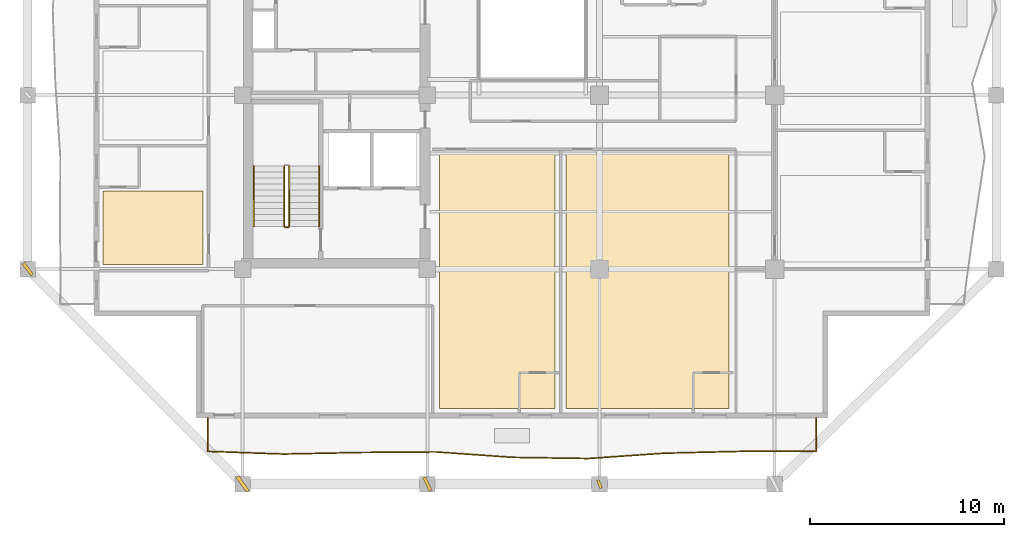
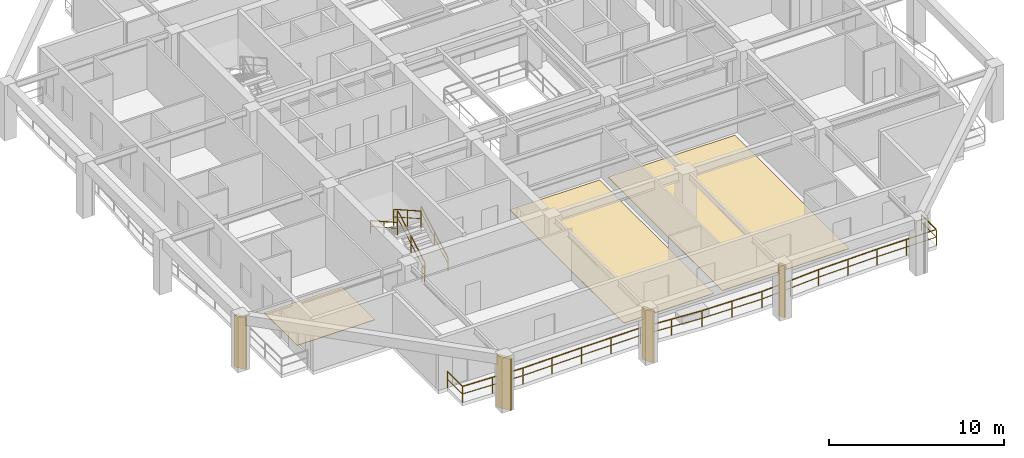
# One storey, part 8 of 13: 6 railings, 4 shading devices, 3 coverings.
"""IFC4 building model written with IfcOpenShell, lengths in metres."""

from ifc_helpers import new_model, si_unit, direction, frame, origin, origin_2d, place, context, subcontext, project, spatial, polyline, rectangle, outline, extrude, material, layer, layer_set, type_object, element, save


model = new_model("IFC4")

# Units and contexts
model_context = context("Model", 3, precision=1e-05, world=origin(), true_north=direction((0.0, 1.0)))
body_context = subcontext(model_context, "Body", "Model", "MODEL_VIEW")
ifc_project = project(units=[si_unit("LENGTHUNIT", "METRE"), si_unit("AREAUNIT", "SQUARE_METRE"), si_unit("VOLUMEUNIT", "CUBIC_METRE"), si_unit("PLANEANGLEUNIT", "RADIAN"), si_unit("MASSUNIT", "GRAM", prefix="KILO")], contexts=[model_context])

# Site, building, storey
site_placement = place(None, origin())
site = spatial("IfcSite", under=ifc_project, at=site_placement, CompositionType="ELEMENT")
building_placement = place(site_placement, origin())
building = spatial("IfcBuilding", under=site, at=building_placement, Name="Kundavana Baori Tower", CompositionType="ELEMENT")
storey_placement = place(building_placement, frame((0.0, 0.0, 169.449951171875)))
storey = spatial("IfcBuildingStorey", under=building, at=storey_placement, Name="L41", CompositionType="ELEMENT", Elevation=169.449951171875)

# Coverings
ifc_material_1 = material(Name="Honed Kota Stone and Terrazzo Flooring", Category="masonry")
ifc_layer = layer(ifc_material_1, 0.0400390625, Name="COV-FLR-TERR-40")
ifc_layer_set = layer_set([ifc_layer], Name="Honed Kota Stone and Terrazzo Flooring")
covering_type = type_object("IfcCoveringType", Name="COV-FLR-TERR-40", PredefinedType="FLOORING", material=ifc_layer_set)
covering_1_placement = place(storey_placement, origin())
element("IfcCovering", 1, at=covering_1_placement, inside=storey, type_object=covering_type, Name="L41 Room Finished Stone Flooring 1", PredefinedType="FLOORING", context=body_context, shape_type="SweptSolid", body=[
    extrude(outline(polyline([(8.280029296875, 15.5), (13.419921875, 15.5), (13.419921875, 19.27001953125), (8.280029296875, 19.27001953125), (8.280029296875, 15.5)])), origin(), (0.0, 0.0, 1.0), 0.0400390625),
])
covering_2_placement = place(storey_placement, origin())
element("IfcCovering", 2, at=covering_2_placement, inside=storey, type_object=covering_type, Name="L41 Room Finished Stone Flooring 5", PredefinedType="FLOORING", context=body_context, shape_type="SweptSolid", body=[
    extrude(outline(polyline([(25.580078125, 8.080078125), (31.52001953125, 8.080078125), (31.52001953125, 21.139892578125), (25.580078125, 21.139892578125), (25.580078125, 8.080078125)])), origin(), (0.0, 0.0, 1.0), 0.0400390625),
])
covering_3_placement = place(storey_placement, origin())
element("IfcCovering", 3, at=covering_3_placement, inside=storey, type_object=covering_type, Name="L41 Room Finished Stone Flooring 6", PredefinedType="FLOORING", context=body_context, shape_type="SweptSolid", body=[
    extrude(outline(polyline([(32.080078125, 8.080078125), (40.4599609375, 8.080078125), (40.4599609375, 21.139892578125), (32.080078125, 21.139892578125), (32.080078125, 8.080078125)])), origin(), (0.0, 0.0, 1.0), 0.0400390625),
])

# Railings
ifc_material_2 = material(Name="Architectural Patinated Bronze Metalwork")
railing_type_1 = type_object("IfcRailingType", Name="RL-BAL-1150", PredefinedType="BALUSTRADE", material=ifc_material_2)
railing_1_placement = place(storey_placement, frame((44.949951171875, 7.60009765625, 0.0)))
element("IfcRailing", 4, at=railing_1_placement, inside=storey, type_object=railing_type_1, Name="L41 Loggia Balcony Balustrade S", PredefinedType="BALUSTRADE", context=body_context, shape_type="SweptSolid", body=[
    extrude(rectangle(XDim=0.048095703125, YDim=0.048095703125, at=origin_2d()), frame((0.0, 0.0, 1.1259765625), z_axis=(0.0, -1.0, 0.0), x_axis=(1.0, 0.0, 0.0)), (0.0, 0.0, 1.0), 1.72021484375),
    extrude(rectangle(XDim=0.03125, YDim=0.03125, at=origin_2d()), frame((0.0, 0.0, 0.597900390625), z_axis=(0.0, -1.0, 0.0), x_axis=(1.0, 0.0, 0.0)), (0.0, 0.0, 1.0), 1.72021484375),
    extrude(rectangle(XDim=0.048095703125, YDim=0.048095703125, at=origin_2d()), frame((0.0, -1.72021484375, 1.1259765625), z_axis=(-0.999999719557, -0.000748923213, 0.0), x_axis=(0.000748923213, -0.999999719557, 0.0)), (0.0, 0.0, 1.0), 3.911865234375),
    extrude(rectangle(XDim=0.03125, YDim=0.03125, at=origin_2d()), frame((0.0, -1.72021484375, 0.597900390625), z_axis=(-0.999999719557, -0.000748923213, 0.0), x_axis=(0.000748923213, -0.999999719557, 0.0)), (0.0, 0.0, 1.0), 3.911865234375),
    extrude(rectangle(XDim=0.048095703125, YDim=0.048095703125, at=origin_2d()), frame((-3.911865234375, -1.72314453125, 1.1259765625), z_axis=(-0.999711633431, -0.024013537489, 0.0), x_axis=(0.024013537489, -0.999711633431, 0.0)), (0.0, 0.0, 1.0), 3.914306640625),
    extrude(rectangle(XDim=0.03125, YDim=0.03125, at=origin_2d()), frame((-3.911865234375, -1.72314453125, 0.597900390625), z_axis=(-0.999711633431, -0.024013537489, 0.0), x_axis=(0.024013537489, -0.999711633431, 0.0)), (0.0, 0.0, 1.0), 3.914306640625),
    extrude(rectangle(XDim=0.048095703125, YDim=0.048095703125, at=origin_2d()), frame((-7.824951171875, -1.817138671875, 1.1259765625), z_axis=(-0.997557579255, -0.069848951818, 0.0), x_axis=(0.069848951818, -0.997557579255, 0.0)), (0.0, 0.0, 1.0), 3.921630859375),
    extrude(rectangle(XDim=0.03125, YDim=0.03125, at=origin_2d()), frame((-7.824951171875, -1.817138671875, 0.597900390625), z_axis=(-0.997557579255, -0.069848951818, 0.0), x_axis=(0.069848951818, -0.997557579255, 0.0)), (0.0, 0.0, 1.0), 3.921630859375),
    extrude(rectangle(XDim=0.048095703125, YDim=0.048095703125, at=origin_2d()), frame((-11.737060546875, -2.091064453125, 1.1259765625), z_axis=(-0.999878362831, 0.015596779853, 0.0), x_axis=(-0.015596779853, -0.999878362831, 0.0)), (0.0, 0.0, 1.0), 3.913330078125),
    extrude(rectangle(XDim=0.03125, YDim=0.03125, at=origin_2d()), frame((-11.737060546875, -2.091064453125, 0.597900390625), z_axis=(-0.999878362831, 0.015596779853, 0.0), x_axis=(-0.015596779853, -0.999878362831, 0.0)), (0.0, 0.0, 1.0), 3.913330078125),
    extrude(rectangle(XDim=0.048095703125, YDim=0.048095703125, at=origin_2d()), frame((-15.64990234375, -2.030029296875, 1.1259765625), z_axis=(-0.997465646662, 0.071149727542, 0.0), x_axis=(-0.071149727542, -0.997465646662, 0.0)), (0.0, 0.0, 1.0), 3.922119140625),
    extrude(rectangle(XDim=0.03125, YDim=0.03125, at=origin_2d()), frame((-15.64990234375, -2.030029296875, 0.597900390625), z_axis=(-0.997465646662, 0.071149727542, 0.0), x_axis=(-0.071149727542, -0.997465646662, 0.0)), (0.0, 0.0, 1.0), 3.922119140625),
    extrude(rectangle(XDim=0.048095703125, YDim=0.048095703125, at=origin_2d()), frame((-19.56201171875, -1.7509765625, 1.1259765625), z_axis=(-0.999972436047, -0.007424765701, 0.0), x_axis=(0.007424765701, -0.999972436047, 0.0)), (0.0, 0.0, 1.0), 3.912841796875),
    extrude(rectangle(XDim=0.03125, YDim=0.03125, at=origin_2d()), frame((-19.56201171875, -1.7509765625, 0.597900390625), z_axis=(-0.999972436047, -0.007424765701, 0.0), x_axis=(0.007424765701, -0.999972436047, 0.0)), (0.0, 0.0, 1.0), 3.912841796875),
    extrude(rectangle(XDim=0.048095703125, YDim=0.048095703125, at=origin_2d()), frame((-23.474853515625, -1.780029296875, 1.1259765625), z_axis=(-0.999785539271, -0.02070930865, 0.0), x_axis=(0.02070930865, -0.999785539271, 0.0)), (0.0, 0.0, 1.0), 3.913818359375),
    extrude(rectangle(XDim=0.03125, YDim=0.03125, at=origin_2d()), frame((-23.474853515625, -1.780029296875, 0.597900390625), z_axis=(-0.999785539271, -0.02070930865, 0.0), x_axis=(0.02070930865, -0.999785539271, 0.0)), (0.0, 0.0, 1.0), 3.913818359375),
    extrude(rectangle(XDim=0.048095703125, YDim=0.048095703125, at=origin_2d()), frame((-27.387939453125, -1.861083984375, 1.1259765625), z_axis=(-0.999352324192, 0.035985165443, 0.0), x_axis=(-0.035985165443, -0.999352324192, 0.0)), (0.0, 0.0, 1.0), 3.91455078125),
    extrude(rectangle(XDim=0.03125, YDim=0.03125, at=origin_2d()), frame((-27.387939453125, -1.861083984375, 0.597900390625), z_axis=(-0.999352324192, 0.035985165443, 0.0), x_axis=(-0.035985165443, -0.999352324192, 0.0)), (0.0, 0.0, 1.0), 3.91455078125),
    extrude(rectangle(XDim=0.048095703125, YDim=0.048095703125, at=origin_2d()), frame((-31.300048828125, -1.72021484375, 1.1259765625), z_axis=(0.0, 1.0, 0.0), x_axis=(-1.0, 0.0, 0.0)), (0.0, 0.0, 1.0), 1.72021484375),
    extrude(rectangle(XDim=0.03125, YDim=0.03125, at=origin_2d()), frame((-31.300048828125, -1.72021484375, 0.597900390625), z_axis=(0.0, 1.0, 0.0), x_axis=(-1.0, 0.0, 0.0)), (0.0, 0.0, 1.0), 1.72021484375),
    extrude(rectangle(XDim=0.0419921875, YDim=0.0419921875, at=origin_2d()), origin(), (0.0, 0.0, 1.0), 1.101806640625),
    extrude(rectangle(XDim=0.0419921875, YDim=0.0419921875, at=origin_2d()), frame((0.0, -1.72021484375, 0.0)), (0.0, 0.0, 1.0), 1.101806640625),
    extrude(rectangle(XDim=0.0419921875, YDim=0.0419921875, at=origin_2d()), frame((-1.9560546875, -1.7216796875, 0.0)), (0.0, 0.0, 1.0), 1.101806640625),
    extrude(rectangle(XDim=0.0419921875, YDim=0.0419921875, at=origin_2d()), frame((-3.911865234375, -1.72314453125, 0.0)), (0.0, 0.0, 1.0), 1.101806640625),
    extrude(rectangle(XDim=0.0419921875, YDim=0.0419921875, at=origin_2d()), frame((-5.868408203125, -1.77001953125, 0.0)), (0.0, 0.0, 1.0), 1.101806640625),
    extrude(rectangle(XDim=0.0419921875, YDim=0.0419921875, at=origin_2d()), frame((-7.824951171875, -1.817138671875, 0.0)), (0.0, 0.0, 1.0), 1.101806640625),
    extrude(rectangle(XDim=0.0419921875, YDim=0.0419921875, at=origin_2d()), frame((-9.781005859375, -1.9541015625, 0.0)), (0.0, 0.0, 1.0), 1.101806640625),
    extrude(rectangle(XDim=0.0419921875, YDim=0.0419921875, at=origin_2d()), frame((-11.737060546875, -2.091064453125, 0.0)), (0.0, 0.0, 1.0), 1.101806640625),
    extrude(rectangle(XDim=0.0419921875, YDim=0.0419921875, at=origin_2d()), frame((-13.693359375, -2.060546875, 0.0)), (0.0, 0.0, 1.0), 1.101806640625),
    extrude(rectangle(XDim=0.0419921875, YDim=0.0419921875, at=origin_2d()), frame((-15.64990234375, -2.030029296875, 0.0)), (0.0, 0.0, 1.0), 1.101806640625),
    extrude(rectangle(XDim=0.0419921875, YDim=0.0419921875, at=origin_2d()), frame((-17.60595703125, -1.890625, 0.0)), (0.0, 0.0, 1.0), 1.101806640625),
    extrude(rectangle(XDim=0.0419921875, YDim=0.0419921875, at=origin_2d()), frame((-19.56201171875, -1.7509765625, 0.0)), (0.0, 0.0, 1.0), 1.101806640625),
    extrude(rectangle(XDim=0.0419921875, YDim=0.0419921875, at=origin_2d()), frame((-21.5185546875, -1.765625, 0.0)), (0.0, 0.0, 1.0), 1.101806640625),
    extrude(rectangle(XDim=0.0419921875, YDim=0.0419921875, at=origin_2d()), frame((-23.474853515625, -1.780029296875, 0.0)), (0.0, 0.0, 1.0), 1.101806640625),
    extrude(rectangle(XDim=0.0419921875, YDim=0.0419921875, at=origin_2d()), frame((-25.431396484375, -1.820556640625, 0.0)), (0.0, 0.0, 1.0), 1.101806640625),
    extrude(rectangle(XDim=0.0419921875, YDim=0.0419921875, at=origin_2d()), frame((-27.387939453125, -1.861083984375, 0.0)), (0.0, 0.0, 1.0), 1.101806640625),
    extrude(rectangle(XDim=0.0419921875, YDim=0.0419921875, at=origin_2d()), frame((-29.343994140625, -1.79052734375, 0.0)), (0.0, 0.0, 1.0), 1.101806640625),
    extrude(rectangle(XDim=0.0419921875, YDim=0.0419921875, at=origin_2d()), frame((-31.300048828125, -1.72021484375, 0.0)), (0.0, 0.0, 1.0), 1.101806640625),
    extrude(rectangle(XDim=0.0419921875, YDim=0.0419921875, at=origin_2d()), frame((-31.300048828125, 0.0, 0.0)), (0.0, 0.0, 1.0), 1.101806640625),
])
ifc_material_3 = material(Name="Architectural Patinated Bronze Metalwork")
railing_type_2 = type_object("IfcRailingType", Name="RL-GRD-1150", PredefinedType="GUARDRAIL", material=ifc_material_3)
railing_2_placement = place(storey_placement, frame((17.840087890625, 17.449951171875, 0.175048828125)))
element("IfcRailing", 5, at=railing_2_placement, inside=storey, type_object=railing_type_2, Name="L41 ST1 stair guard 1", PredefinedType="GUARDRAIL", context=body_context, shape_type="SweptSolid", body=[
    extrude(rectangle(XDim=0.048095703125, YDim=0.048095703125, at=origin_2d()), frame((0.0, 0.0, 1.1259765625), z_axis=(0.0, 0.870830938388, 0.491582624537), x_axis=(-1.0, 0.0, 0.0)), (0.0, 0.0, 1.0), 3.559814453125),
    extrude(rectangle(XDim=0.03125, YDim=0.03125, at=origin_2d()), frame((0.0, 0.0, 0.597900390625), z_axis=(0.0, 0.870830938388, 0.491582624537), x_axis=(-1.0, 0.0, 0.0)), (0.0, 0.0, 1.0), 3.559814453125),
    extrude(rectangle(XDim=0.0419921875, YDim=0.0419921875, at=origin_2d()), origin(), (0.0, 0.0, 1.0), 1.101806640625),
    extrude(rectangle(XDim=0.0419921875, YDim=0.0419921875, at=origin_2d()), frame((0.0, 1.550048828125, 0.875)), (0.0, 0.0, 1.0), 1.101806640625),
    extrude(rectangle(XDim=0.0419921875, YDim=0.0419921875, at=origin_2d()), frame((0.0, 3.10009765625, 1.75)), (0.0, 0.0, 1.0), 1.101806640625),
])
railing_3_placement = place(storey_placement, frame((17.580078125, 20.550048828125, 2.10009765625)))
element("IfcRailing", 6, at=railing_3_placement, inside=storey, type_object=railing_type_2, Name="L41 ST1 stair guard 3", PredefinedType="GUARDRAIL", context=body_context, shape_type="SweptSolid", body=[
    extrude(rectangle(XDim=0.048095703125, YDim=0.048095703125, at=origin_2d()), frame((0.0, 0.0, 1.1259765625), z_axis=(0.0, -0.870830938388, 0.491582624537), x_axis=(1.0, 0.0, 0.0)), (0.0, 0.0, 1.0), 3.559814453125),
    extrude(rectangle(XDim=0.03125, YDim=0.03125, at=origin_2d()), frame((0.0, 0.0, 0.597900390625), z_axis=(0.0, -0.870830938388, 0.491582624537), x_axis=(1.0, 0.0, 0.0)), (0.0, 0.0, 1.0), 3.559814453125),
    extrude(rectangle(XDim=0.0419921875, YDim=0.0419921875, at=origin_2d()), origin(), (0.0, 0.0, 1.0), 1.101806640625),
    extrude(rectangle(XDim=0.0419921875, YDim=0.0419921875, at=origin_2d()), frame((0.0, -1.550048828125, 0.875)), (0.0, 0.0, 1.0), 1.101806640625),
    extrude(rectangle(XDim=0.0419921875, YDim=0.0419921875, at=origin_2d()), frame((0.0, -3.10009765625, 1.75)), (0.0, 0.0, 1.0), 1.101806640625),
])
railing_4_placement = place(storey_placement, frame((17.7900390625, 17.39990234375, 0.0)))
element("IfcRailing", 7, at=railing_4_placement, inside=storey, type_object=railing_type_2, Name="L41 ST1 stair guard 4", PredefinedType="GUARDRAIL", context=body_context, shape_type="SweptSolid", body=[
    extrude(rectangle(XDim=0.048095703125, YDim=0.048095703125, at=origin_2d()), frame((0.0, 0.0, 1.1259765625), z_axis=(-1.0, 0.0, 0.0), x_axis=(0.0, -1.0, 0.0)), (0.0, 0.0, 1.0), 0.16015625),
    extrude(rectangle(XDim=0.03125, YDim=0.03125, at=origin_2d()), frame((0.0, 0.0, 0.597900390625), z_axis=(-1.0, 0.0, 0.0), x_axis=(0.0, -1.0, 0.0)), (0.0, 0.0, 1.0), 0.16015625),
    extrude(rectangle(XDim=0.0419921875, YDim=0.0419921875, at=origin_2d()), origin(), (0.0, 0.0, 1.0), 1.101806640625),
    extrude(rectangle(XDim=0.0419921875, YDim=0.0419921875, at=origin_2d()), frame((-0.16015625, 0.0, 0.0)), (0.0, 0.0, 1.0), 1.101806640625),
])
ifc_material_4 = material(Name="Architectural Patinated Bronze Metalwork")
railing_type_3 = type_object("IfcRailingType", Name="RL-HND-920", PredefinedType="HANDRAIL", material=ifc_material_4)
railing_5_placement = place(storey_placement, frame((19.389892578125, 17.449951171875, 0.175048828125)))
element("IfcRailing", 8, at=railing_5_placement, inside=storey, type_object=railing_type_3, Name="L41 ST1 stair handrail 1", PredefinedType="HANDRAIL", context=body_context, shape_type="SweptSolid", body=[
    extrude(rectangle(XDim=0.048095703125, YDim=0.048095703125, at=origin_2d()), frame((0.0, 0.0, 0.8759765625), z_axis=(0.0, 0.870830938388, 0.491582624537), x_axis=(-1.0, 0.0, 0.0)), (0.0, 0.0, 1.0), 3.559814453125),
    extrude(rectangle(XDim=0.03125, YDim=0.03125, at=origin_2d()), frame((0.0, 0.0, 0.468017578125), z_axis=(0.0, 0.870830938388, 0.491582624537), x_axis=(-1.0, 0.0, 0.0)), (0.0, 0.0, 1.0), 3.559814453125),
    extrude(rectangle(XDim=0.0419921875, YDim=0.0419921875, at=origin_2d()), origin(), (0.0, 0.0, 1.0), 0.851806640625),
    extrude(rectangle(XDim=0.0419921875, YDim=0.0419921875, at=origin_2d()), frame((0.0, 1.550048828125, 0.875)), (0.0, 0.0, 1.0), 0.851806640625),
    extrude(rectangle(XDim=0.0419921875, YDim=0.0419921875, at=origin_2d()), frame((0.0, 3.10009765625, 1.75)), (0.0, 0.0, 1.0), 0.851806640625),
])
railing_6_placement = place(storey_placement, frame((16.030029296875, 20.550048828125, 2.10009765625)))
element("IfcRailing", 9, at=railing_6_placement, inside=storey, type_object=railing_type_3, Name="L41 ST1 stair handrail 2", PredefinedType="HANDRAIL", context=body_context, shape_type="SweptSolid", body=[
    extrude(rectangle(XDim=0.048095703125, YDim=0.048095703125, at=origin_2d()), frame((0.0, 0.0, 0.8759765625), z_axis=(0.0, -0.870830938388, 0.491582624537), x_axis=(1.0, 0.0, 0.0)), (0.0, 0.0, 1.0), 3.559814453125),
    extrude(rectangle(XDim=0.03125, YDim=0.03125, at=origin_2d()), frame((0.0, 0.0, 0.468017578125), z_axis=(0.0, -0.870830938388, 0.491582624537), x_axis=(1.0, 0.0, 0.0)), (0.0, 0.0, 1.0), 3.559814453125),
    extrude(rectangle(XDim=0.0419921875, YDim=0.0419921875, at=origin_2d()), origin(), (0.0, 0.0, 1.0), 0.851806640625),
    extrude(rectangle(XDim=0.0419921875, YDim=0.0419921875, at=origin_2d()), frame((0.0, -1.550048828125, 0.875)), (0.0, 0.0, 1.0), 0.851806640625),
    extrude(rectangle(XDim=0.0419921875, YDim=0.0419921875, at=origin_2d()), frame((0.0, -3.10009765625, 1.75)), (0.0, 0.0, 1.0), 0.851806640625),
])

# Shading devices
ifc_material_5 = material(Name="Red-Buff Dholpur Sandstone Cladding on Concrete C40/50", Category="masonry")
shading_device_type_1 = type_object("IfcShadingDeviceType", Name="SHD-FIN-750", PredefinedType="JALOUSIE", material=ifc_material_5)
for number, where, z_axis, x_axis, name in (
    (10, (24.949951171875, 4.199951171875, 0.0), (0.0, 0.0, 1.0), (0.898717522412, 0.438528009266, 0.0), "L41 Sweeping Dholpur Sandstone Facade Fin 2"),
    (11, (4.39990234375, 15.25, 0.0), (0.0, 0.0, 1.0), (0.800731370949, 0.599023598516, 0.0), "L41 Sweeping Dholpur Sandstone Facade Fin 5"),
):
    element("IfcShadingDevice", number, at=place(storey_placement, frame(where, z_axis=z_axis, x_axis=x_axis)), inside=storey, type_object=shading_device_type_1, Name=name, PredefinedType="JALOUSIE", context=body_context, shape_type="SweptSolid", body=[
        extrude(rectangle(XDim=0.159912109375, YDim=0.75, at=origin_2d()), origin(), (0.0, 0.0, 1.0), 3.60009765625),
    ])
ifc_material_6 = material(Name="Red-Buff Dholpur Sandstone Cladding on Concrete C40/50", Category="masonry")
shading_device_type_2 = type_object("IfcShadingDeviceType", Name="SHD-FIN-920", PredefinedType="JALOUSIE", material=ifc_material_6)
shading_device_1_placement = place(storey_placement, frame((15.449951171875, 4.199951171875, 0.0), z_axis=(0.0, 0.0, 1.0), x_axis=(0.814115518356, 0.580702955711, 0.0)))
element("IfcShadingDevice", 12, at=shading_device_1_placement, inside=storey, type_object=shading_device_type_2, Name="L41 Sweeping Dholpur Sandstone Facade Fin 1", PredefinedType="JALOUSIE", context=body_context, shape_type="SweptSolid", body=[
    extrude(rectangle(XDim=0.179931640625, YDim=0.919921875, at=origin_2d()), origin(), (0.0, 0.0, 1.0), 3.60009765625),
])
ifc_material_7 = material(Name="Architectural Patinated Bronze Metalwork")
shading_device_type_3 = type_object("IfcShadingDeviceType", Name="SHD-LOUV-450", PredefinedType="SHUTTER", material=ifc_material_7)
shading_device_2_placement = place(storey_placement, frame((33.800048828125, 4.199951171875, 0.0), z_axis=(0.0, 0.0, 1.0), x_axis=(0.926987583926, 0.375092014374, 0.0)))
element("IfcShadingDevice", 13, at=shading_device_2_placement, inside=storey, type_object=shading_device_type_3, Name="L41 Sweeping Dholpur Sandstone Facade Fin 3", PredefinedType="SHUTTER", context=body_context, shape_type="SweptSolid", body=[
    extrude(rectangle(XDim=0.139892578125, YDim=0.449951171875, at=origin_2d()), origin(), (0.0, 0.0, 1.0), 3.60009765625),
])

save(model, "model.ifc")
